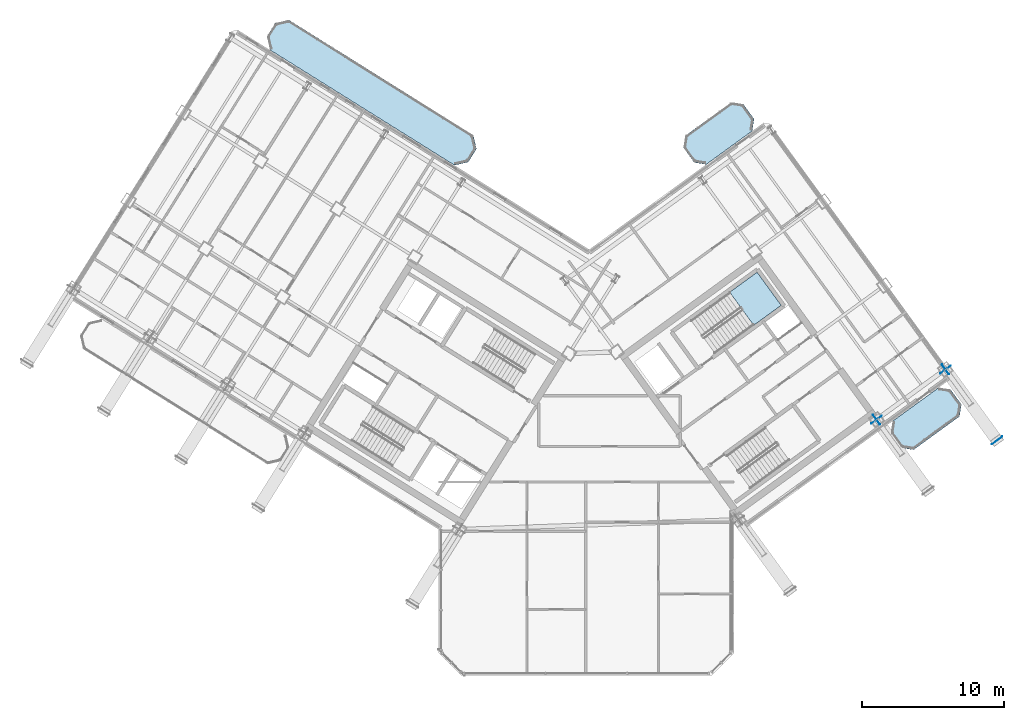
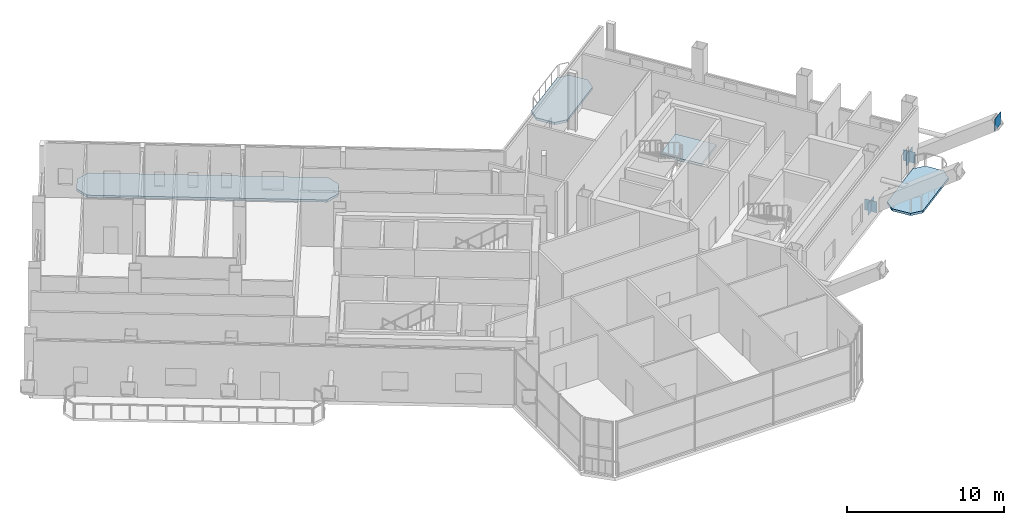
# One storey, part 16 of 34: 5 plates, 4 slabs, 1 element without a shape of its own.
"""IFC4 building model written with IfcOpenShell, lengths in metres."""

from ifc_helpers import new_model, si_unit, direction, frame, origin, origin_2d, place, context, subcontext, project, spatial, polyline, rectangle, outline, extrude, source, transform, mapped, material, layer, layer_set, type_object, element, aggregate, save


model = new_model("IFC4")

# Units and contexts
model_context = context("Model", 3, precision=1e-05, world=origin(), true_north=direction((0.0, 1.0)))
body_context = subcontext(model_context, "Body", "Model", "MODEL_VIEW")
ifc_project = project(units=[si_unit("LENGTHUNIT", "METRE"), si_unit("AREAUNIT", "SQUARE_METRE"), si_unit("VOLUMEUNIT", "CUBIC_METRE"), si_unit("PLANEANGLEUNIT", "RADIAN"), si_unit("MASSUNIT", "GRAM", prefix="KILO")], contexts=[model_context])

# Site, building, storey
site_placement = place(None, origin())
site = spatial("IfcSite", under=ifc_project, at=site_placement, CompositionType="ELEMENT")
building_placement = place(site_placement, origin())
building = spatial("IfcBuilding", under=site, at=building_placement, Name="Tlacorven Tower", CompositionType="ELEMENT")
storey_placement = place(building_placement, frame((0.0, 0.0, 229.199951171875)))
storey = spatial("IfcBuildingStorey", under=building, at=storey_placement, Name="L58", CompositionType="ELEMENT", Elevation=229.199951171875)

# Slabs
ifc_material_1 = material(Name="Precast concrete C45/55", Category="concrete")
ifc_layer_1 = layer(ifc_material_1, 0.179931640625)
ifc_layer_set_1 = layer_set([ifc_layer_1], Name="Precast concrete C45/55")
slab_type_1 = type_object("IfcSlabType", Name="SL-BAL-180", PredefinedType="USERDEFINED", material=ifc_layer_set_1)
slab_1_placement = place(storey_placement, frame((0.0, 0.0, -0.179931640625)))
element("IfcSlab", 1, at=slab_1_placement, inside=storey, type_object=slab_type_1, Name="L58 West Wing Balcony Ribbon IN", ObjectType="BALCONY SLAB", PredefinedType="USERDEFINED", context=body_context, shape_type="SweptSolid", body=[
    extrude(outline(polyline([(34.0419921875, 39.835693359375), (21.06689453125, 47.943359375), (20.102294921875, 47.720703125), (19.52197265625, 46.7919921875), (19.744873046875, 45.827392578125), (32.719970703125, 37.7197265625), (33.6845703125, 37.9423828125), (34.2646484375, 38.87109375), (34.0419921875, 39.835693359375)])), origin(), (0.0, 0.0, 1.0), 0.179931640625),
])
slab_2_placement = place(storey_placement, frame((0.0, 0.0, -0.179931640625)))
element("IfcSlab", 2, at=slab_2_placement, inside=storey, type_object=slab_type_1, Name="L58 East Wing Balcony Ribbon OUT", ObjectType="BALCONY SLAB", PredefinedType="USERDEFINED", context=body_context, shape_type="SweptSolid", body=[
    extrude(outline(polyline([(65.025634765625, 17.69482421875), (68.26171875, 20.046142578125), (68.394287109375, 20.884033203125), (67.633056640625, 21.931884765625), (66.795166015625, 22.064453125), (63.55908203125, 19.71337890625), (63.42626953125, 18.875244140625), (64.1875, 17.82763671875), (65.025634765625, 17.69482421875)])), origin(), (0.0, 0.0, 1.0), 0.179931640625),
])
slab_3_placement = place(storey_placement, frame((0.0, 0.0, -0.179931640625)))
element("IfcSlab", 3, at=slab_3_placement, inside=storey, type_object=slab_type_1, Name="L58 East Wing Balcony Ribbon IN", ObjectType="BALCONY SLAB", PredefinedType="USERDEFINED", context=body_context, shape_type="SweptSolid", body=[
    extrude(outline(polyline([(50.433837890625, 37.77880859375), (53.669921875, 40.1298828125), (53.802490234375, 40.968017578125), (53.04150390625, 42.015625), (52.203369140625, 42.1484375), (48.96728515625, 39.79736328125), (48.83447265625, 38.959228515625), (49.595703125, 37.91162109375), (50.433837890625, 37.77880859375)])), origin(), (0.0, 0.0, 1.0), 0.179931640625),
])

# Stair, slab
ifc_material_2 = material(Name="Concrete C40/50", Category="concrete")
stair_type = type_object("IfcStairType", Name="ST-CORE-DLG", PredefinedType="HALF_TURN_STAIR", material=ifc_material_2)
stair_placement = place(storey_placement, origin())
stair = element("IfcStair", 4, at=stair_placement, inside=storey, type_object=stair_type, Name="L58 Protected Exit Stair East 1", PredefinedType="HALF_TURN_STAIR")
ifc_layer_2 = layer(ifc_material_2, 0.199951171875)
ifc_layer_set_2 = layer_set([ifc_layer_2], Name="Concrete C40/50")
slab_type_2 = type_object("IfcSlabType", Name="SL-LND-200", PredefinedType="LANDING", material=ifc_layer_set_2)
slab_4_placement = place(storey_placement, frame((0.0, 0.0, 2.050048828125)))
slab_4 = element("IfcSlab", 5, at=slab_4_placement, type_object=slab_type_2, Name="ST-E1 landing 1", PredefinedType="LANDING", context=body_context, shape_type="SweptSolid", body=[
    extrude(outline(polyline([(53.77734375, 26.456787109375), (55.7109375, 27.861572265625), (54.01806640625, 30.19140625), (52.08447265625, 28.78662109375), (53.77734375, 26.456787109375)])), origin(), (0.0, 0.0, 1.0), 0.199951171875),
])
aggregate(stair, [slab_4])

# Plates
ifc_material_3 = material(Name="Steel S460M", Category="steel")
ifc_layer_3 = layer(ifc_material_3, 0.02392578125)
ifc_layer_set_3 = layer_set([ifc_layer_3], Name="Steel S460M")
plate_type_1 = type_object("IfcPlateType", Name="PL-CAP-END1", PredefinedType="USERDEFINED", material=ifc_layer_set_3)
shared_shape_1 = source(origin(), body_context, "Body", "SweptSolid", [
    extrude(rectangle(XDim=0.02392578125, YDim=0.929931640625, at=origin_2d()), origin(), (0.0, 0.0, 1.0), 0.929931640625),
])
for number, where, z_axis, x_axis, name in (
    (6, (62.423095703125, 19.813720703125, -0.453125), (0.0, 0.0, 1.0), (0.587785265382, -0.809016984865, 0.0), "L58 hollow end cap plate RAK-L58-E3 1"),
    (7, (67.27734375, 23.34033203125, -0.453125), (0.0, 0.0, 1.0), (0.587785342477, -0.809016928852, 0.0), "L58 hollow end cap plate RAK-L58-E4 1"),
    (8, (70.902587890625, 18.350830078125, 4.0234375), (0.0, 0.0, 1.0), (0.587785342477, -0.809016928852, 0.0), "L58 hollow end cap plate RAK-L58-E4 2"),
):
    element("IfcPlate", number, at=place(storey_placement, frame(where, z_axis=z_axis, x_axis=x_axis)), inside=storey, type_object=plate_type_1, Name=name, ObjectType="END PLATE", PredefinedType="USERDEFINED", context=body_context, shape_type="MappedRepresentation", body=[
        mapped(shared_shape_1, transform((0.0, 0.0, 0.0), scale=1.0)),
    ])
ifc_layer_4 = layer(ifc_material_3, 0.031982421875)
ifc_layer_set_4 = layer_set([ifc_layer_4], Name="Steel S460M")
plate_type_2 = type_object("IfcPlateType", Name="PL-NODE-KN1", PredefinedType="SHEET", material=ifc_layer_set_4)
shared_shape_2 = source(origin(), body_context, "Body", "SweptSolid", [
    extrude(rectangle(XDim=0.85009765625, YDim=0.031982421875, at=origin_2d()), origin(), (0.0, 0.0, 1.0), 0.85009765625),
])
for number, where, z_axis, x_axis, name in (
    (9, (62.41845703125, 19.8203125, -0.419189453125), (0.0, 0.0, 1.0), (0.587785265382, -0.809016984865, 0.0), "L58 structural node gusset plate RAK-L58-E3"),
    (10, (67.2724609375, 23.346923828125, -0.419189453125), (0.0, 0.0, 1.0), (0.587785342477, -0.809016928852, 0.0), "L58 structural node gusset plate RAK-L58-E4"),
):
    element("IfcPlate", number, at=place(storey_placement, frame(where, z_axis=z_axis, x_axis=x_axis)), inside=storey, type_object=plate_type_2, Name=name, PredefinedType="SHEET", context=body_context, shape_type="MappedRepresentation", body=[
        mapped(shared_shape_2, transform((0.0, 0.0, 0.0), scale=1.0)),
    ])

save(model, "model.ifc")
